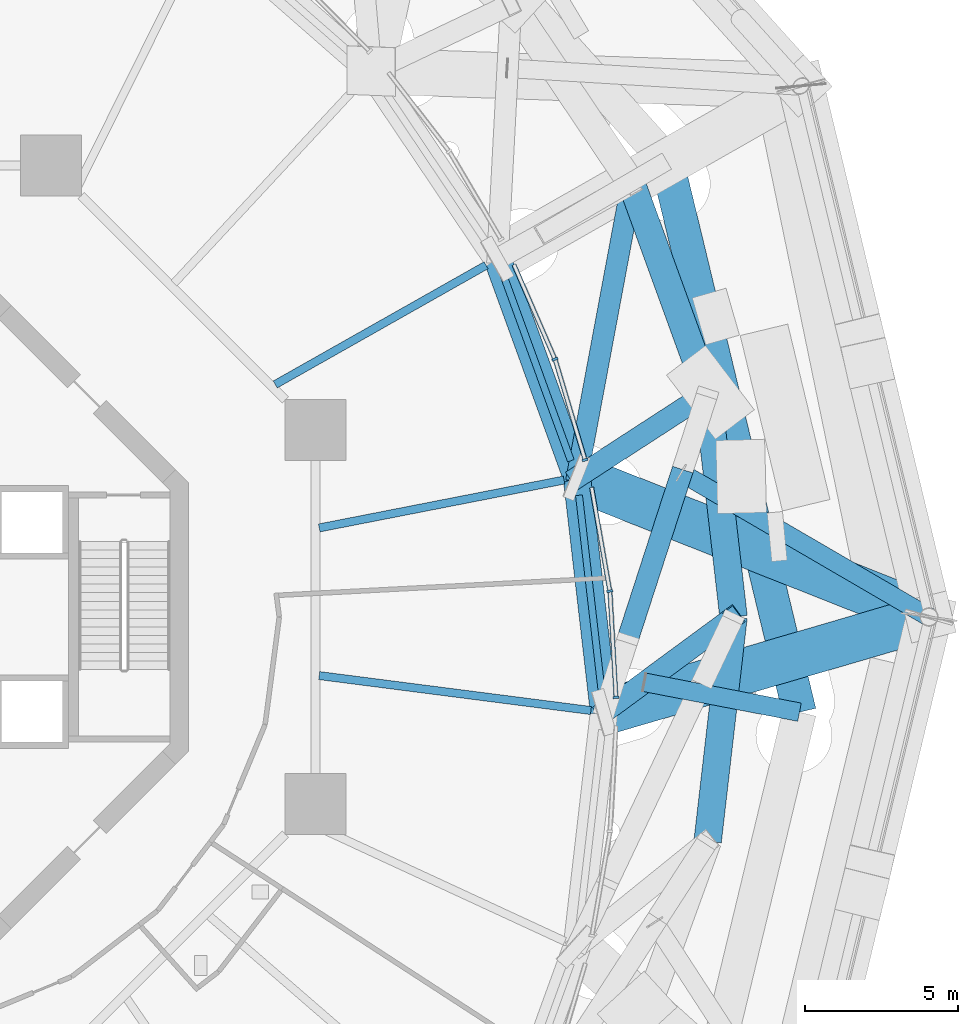
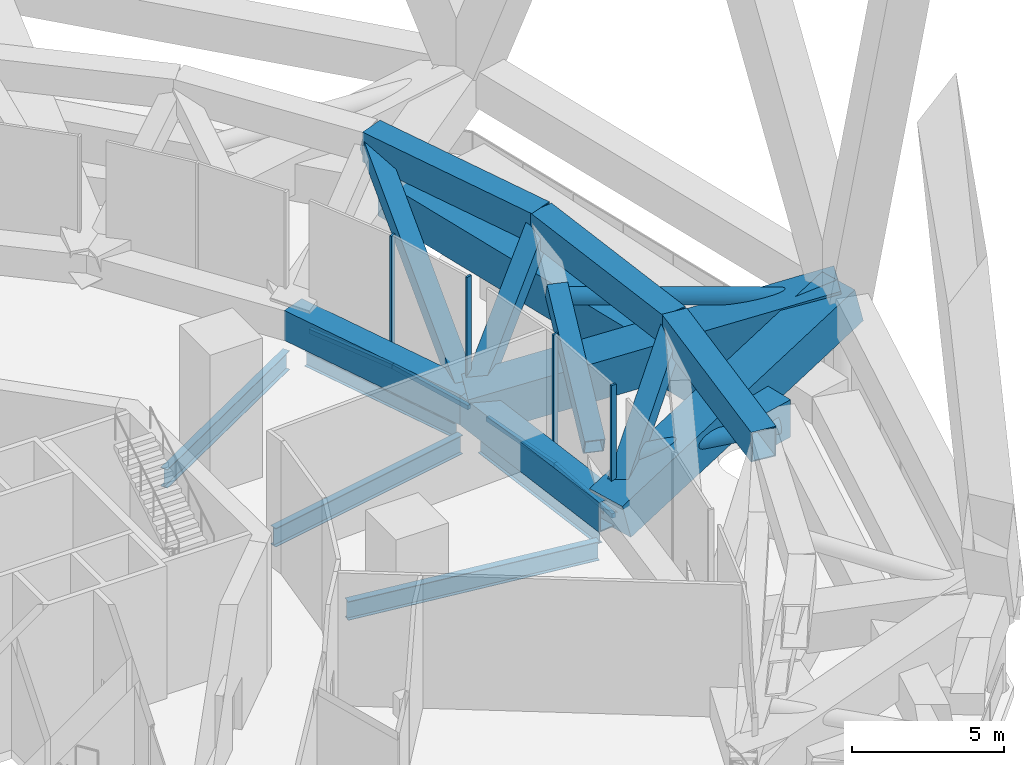
# One storey, part 32 of 49: 14 beams, 13 members, 4 elements without a shape of their own.
"""IFC4 building model written with IfcOpenShell, lengths in metres."""

from ifc_helpers import new_model, si_unit, direction, frame, origin, origin_2d, place, context, subcontext, project, spatial, rectangle, hollow_rectangle, hollow_circle, i_section, extrude, material, layer, layer_set, material_profile, profile_set, type_object, element, aggregate, save


model = new_model("IFC4")

# Units and contexts
model_context = context("Model", 3, precision=1e-05, world=origin(), true_north=direction((0.0, 1.0)))
body_context = subcontext(model_context, "Body", "Model", "MODEL_VIEW")
ifc_project = project(units=[si_unit("LENGTHUNIT", "METRE"), si_unit("AREAUNIT", "SQUARE_METRE"), si_unit("VOLUMEUNIT", "CUBIC_METRE"), si_unit("PLANEANGLEUNIT", "RADIAN"), si_unit("MASSUNIT", "GRAM", prefix="KILO")], contexts=[model_context])

# Site, building, storey
site_placement = place(None, origin())
site = spatial("IfcSite", under=ifc_project, at=site_placement, CompositionType="ELEMENT")
building_placement = place(site_placement, origin())
building = spatial("IfcBuilding", under=site, at=building_placement, Name="Nagisa Residences", CompositionType="ELEMENT")
storey_placement = place(building_placement, frame((0.0, 0.0, 160.300048828125)))
storey = spatial("IfcBuildingStorey", under=building, at=storey_placement, Name="L40", CompositionType="ELEMENT", Elevation=160.300048828125)

# Beams
ifc_material_1 = material(Name="Steel ASTM A572 Gr 50", Category="steel")
ifc_material_profile_1 = material_profile(ifc_material_1, hollow_rectangle(XDim=0.89990234375, YDim=1.199951171875, WallThickness=0.044921875, at=origin_2d()), Name="BX 900x1200x45")
ifc_profile_set_1 = profile_set([ifc_material_profile_1], Name="Steel ASTM A572 Gr 50")
beam_type_1 = type_object("IfcBeamType", Name="Belt chord 3 BX 900x1200x45", PredefinedType="BEAM", material=ifc_profile_set_1)
beam_1_placement = place(storey_placement, frame((24.235107421875, -3.11767578125, 0.599853515625), z_axis=(-0.114676809707, 0.993402853487, 0.0), x_axis=(-0.993402853487, -0.114676809707, 0.0)))
element("IfcBeam", 1, at=beam_1_placement, inside=storey, type_object=beam_type_1, Name="beam:L40:bt3b01", PredefinedType="BEAM", context=body_context, shape_type="SweptSolid", body=[
    extrude(hollow_rectangle(XDim=0.89990234375, YDim=1.199951171875, WallThickness=0.044921875, at=origin_2d()), origin(), (0.0, 0.0, 1.0), 7.736572265625),
])
beam_2_placement = place(storey_placement, frame((28.47509765625, 0.0, 4.739990234375), z_axis=(-0.114660458772, 0.993404740876, 0.0), x_axis=(-0.993404740876, -0.114660458772, 0.0)))
element("IfcBeam", 2, at=beam_2_placement, inside=storey, type_object=beam_type_1, Name="beam:L40:bt3t01", PredefinedType="BEAM", context=body_context, shape_type="SweptSolid", body=[
    extrude(hollow_rectangle(XDim=0.89990234375, YDim=1.199951171875, WallThickness=0.044921875, at=origin_2d()), origin(), (0.0, 0.0, 1.0), 7.392822265625),
])
beam_3_placement = place(storey_placement, frame((23.347900390625, 4.56787109375, 0.599853515625), z_axis=(-0.341339120312, 0.939940213495, 0.0), x_axis=(-0.939940213495, -0.341339120312, 0.0)))
element("IfcBeam", 3, at=beam_3_placement, inside=storey, type_object=beam_type_1, Name="beam:L40:bt3b02", PredefinedType="BEAM", context=body_context, shape_type="SweptSolid", body=[
    extrude(hollow_rectangle(XDim=0.89990234375, YDim=1.199951171875, WallThickness=0.044921875, at=origin_2d()), origin(), (0.0, 0.0, 1.0), 7.619384765625),
])
beam_4_placement = place(storey_placement, frame((27.62744140625, 7.343994140625, 4.739990234375), z_axis=(-0.341325710829, 0.939945083038, 0.0), x_axis=(-0.939945083038, -0.341325710829, 0.0)))
element("IfcBeam", 4, at=beam_4_placement, inside=storey, type_object=beam_type_1, Name="beam:L40:bt3t02", PredefinedType="BEAM", context=body_context, shape_type="SweptSolid", body=[
    extrude(hollow_rectangle(XDim=0.89990234375, YDim=1.199951171875, WallThickness=0.044921875, at=origin_2d()), origin(), (0.0, 0.0, 1.0), 7.28076171875),
])
beam_5_placement = place(storey_placement, frame((27.62744140625, -7.343994140625, 4.739990234375), z_axis=(0.114660458772, 0.993404740876, 0.0), x_axis=(-0.993404740876, 0.114660458772, 0.0)))
element("IfcBeam", 5, at=beam_5_placement, inside=storey, type_object=beam_type_1, Name="beam:L40:bt3t24", PredefinedType="BEAM", context=body_context, shape_type="SweptSolid", body=[
    extrude(hollow_rectangle(XDim=0.89990234375, YDim=1.199951171875, WallThickness=0.044921875, at=origin_2d()), origin(), (0.0, 0.0, 1.0), 7.392822265625),
])
ifc_material_2 = material(Name="Steel ASTM A572 Gr 50", Category="steel")
ifc_material_profile_2 = material_profile(ifc_material_2, hollow_rectangle(XDim=0.699951171875, YDim=0.699951171875, WallThickness=0.0400390625, at=origin_2d()), Name="BX 700x700x40")
ifc_profile_set_2 = profile_set([ifc_material_profile_2], Name="Steel ASTM A572 Gr 50")
beam_type_2 = type_object("IfcBeamType", Name="Belt diagonal 3 BX 700x700x40", PredefinedType="BEAM", material=ifc_profile_set_2)
beam_6_placement = place(storey_placement, frame((24.235107421875, -3.11767578125, 0.599853515625), z_axis=(0.633200145852, 0.465593704297, 0.618288021728), x_axis=(-0.592394878446, 0.805647756771, 0.0)))
element("IfcBeam", 6, at=beam_6_placement, inside=storey, type_object=beam_type_2, Name="beam:L40:bt3da01", PredefinedType="BEAM", context=body_context, shape_type="SweptSolid", body=[
    extrude(hollow_rectangle(XDim=0.699951171875, YDim=0.699951171875, WallThickness=0.0400390625, at=origin_2d()), origin(), (0.0, 0.0, 1.0), 6.696044921875),
])
beam_7_placement = place(storey_placement, frame((25.013427734375, -0.717041015625, 1.550048828125), z_axis=(0.288674860921, 0.890253611392, 0.352300059716), x_axis=(-0.951240389327, 0.308450517445, 0.0)))
element("IfcBeam", 7, at=beam_7_placement, inside=storey, type_object=beam_type_2, Name="beam:L40:bt3db01", PredefinedType="BEAM", context=body_context, shape_type="SweptSolid", body=[
    extrude(hollow_rectangle(XDim=0.699951171875, YDim=0.699951171875, WallThickness=0.0400390625, at=origin_2d()), origin(), (0.0, 0.0, 1.0), 6.358154296875),
])
beam_8_placement = place(storey_placement, frame((23.347900390625, 4.56787109375, 0.599853515625), z_axis=(0.651397516262, 0.42255925366, 0.630178508801), x_axis=(-0.544219328827, 0.83894297907, 0.0)))
element("IfcBeam", 8, at=beam_8_placement, inside=storey, type_object=beam_type_2, Name="beam:L40:bt3da02", PredefinedType="BEAM", context=body_context, shape_type="SweptSolid", body=[
    extrude(hollow_rectangle(XDim=0.699951171875, YDim=0.699951171875, WallThickness=0.0400390625, at=origin_2d()), origin(), (0.0, 0.0, 1.0), 6.56982421875),
])
beam_9_placement = place(storey_placement, frame((23.347900390625, 4.56787109375, 0.599853515625), z_axis=(0.168882363071, 0.905347329215, 0.389647226253), x_axis=(-0.983042923, 0.183375602356, 0.0)))
element("IfcBeam", 9, at=beam_9_placement, inside=storey, type_object=beam_type_2, Name="beam:L40:bt3db02", PredefinedType="BEAM", context=body_context, shape_type="SweptSolid", body=[
    extrude(hollow_rectangle(XDim=0.699951171875, YDim=0.699951171875, WallThickness=0.0400390625, at=origin_2d()), origin(), (0.0, 0.0, 1.0), 10.625244140625),
])

# Curtain wall, member
ifc_material_3 = material(Name="Aluminium curtain wall system", Category="aluminium")
ifc_layer = layer(ifc_material_3, 0.159912109375)
ifc_layer_set = layer_set([ifc_layer], Name="CW2 CURTAIN WALL")
curtain_wall_type = type_object("IfcCurtainWallType", Name="CW2 CURTAIN WALL", PredefinedType="NOTDEFINED", material=ifc_layer_set)
curtain_wall_1_placement = place(storey_placement, origin())
curtain_wall_1 = element("IfcCurtainWall", 10, at=curtain_wall_1_placement, inside=storey, type_object=curtain_wall_type, Name="cw:CW2:L40:00", PredefinedType="NOTDEFINED")
ifc_material_4 = material(Name="Aluminium", Category="aluminium")
ifc_material_profile_3 = material_profile(ifc_material_4, rectangle(XDim=0.199951171875, YDim=0.080078125, at=origin_2d()), Name="CW2 MULLION 200x80")
ifc_profile_set_3 = profile_set([ifc_material_profile_3], Name="Aluminium")
member_type_1 = type_object("IfcMemberType", Name="CW2 MULLION 200x80", PredefinedType="MULLION", material=ifc_profile_set_3)
member_1_placement = place(storey_placement, frame((24.626953125, -2.633056640625, 0.0), z_axis=(0.0, 0.0, 1.0), x_axis=(-0.998345305184, -0.057503492216, 0.0)))
member_1 = element("IfcMember", 11, at=member_1_placement, type_object=member_type_1, Name="CW2 mullion", PredefinedType="MULLION", context=body_context, shape_type="SweptSolid", body=[
    extrude(rectangle(XDim=0.199951171875, YDim=0.080078125, at=origin_2d()), origin(), (0.0, 0.0, 1.0), 5.33984375),
])

curtain_wall_2_placement = place(storey_placement, origin())
curtain_wall_2 = element("IfcCurtainWall", 12, at=curtain_wall_2_placement, inside=storey, type_object=curtain_wall_type, Name="cw:CW2:L40:01", PredefinedType="NOTDEFINED")
member_2_placement = place(storey_placement, frame((24.42236328125, 0.84912109375, 0.0), z_axis=(0.0, 0.0, 1.0), x_axis=(-0.985063604377, -0.172190868898, 0.0)))
member_2 = element("IfcMember", 13, at=member_2_placement, type_object=member_type_1, Name="CW2 mullion", PredefinedType="MULLION", context=body_context, shape_type="SweptSolid", body=[
    extrude(rectangle(XDim=0.199951171875, YDim=0.080078125, at=origin_2d()), origin(), (0.0, 0.0, 1.0), 5.33984375),
])

curtain_wall_3_placement = place(storey_placement, origin())
curtain_wall_3 = element("IfcCurtainWall", 14, at=curtain_wall_3_placement, inside=storey, type_object=curtain_wall_type, Name="cw:CW2:L40:02", PredefinedType="NOTDEFINED")
member_3_placement = place(storey_placement, frame((23.614013671875, 5.14404296875, 0.0), z_axis=(0.0, 0.0, 1.0), x_axis=(-0.958271310082, -0.285860274038, 0.0)))
member_3 = element("IfcMember", 15, at=member_3_placement, type_object=member_type_1, Name="CW2 mullion", PredefinedType="MULLION", context=body_context, shape_type="SweptSolid", body=[
    extrude(rectangle(XDim=0.199951171875, YDim=0.080078125, at=origin_2d()), origin(), (0.0, 0.0, 1.0), 5.33984375),
])

curtain_wall_4_placement = place(storey_placement, origin())
curtain_wall_4 = element("IfcCurtainWall", 16, at=curtain_wall_4_placement, inside=storey, type_object=curtain_wall_type, Name="cw:CW2:L40:03", PredefinedType="NOTDEFINED")
member_4_placement = place(storey_placement, frame((22.625732421875, 8.4423828125, 0.0), z_axis=(0.0, 0.0, 1.0), x_axis=(-0.917543276295, -0.397635934147, 0.0)))
member_4 = element("IfcMember", 17, at=member_4_placement, type_object=member_type_1, Name="CW2 mullion", PredefinedType="MULLION", context=body_context, shape_type="SweptSolid", body=[
    extrude(rectangle(XDim=0.199951171875, YDim=0.080078125, at=origin_2d()), origin(), (0.0, 0.0, 1.0), 5.33984375),
])

# Member
ifc_material_5 = material(Name="Aluminium", Category="aluminium")
ifc_material_profile_4 = material_profile(ifc_material_5, rectangle(XDim=0.139892578125, YDim=0.179931640625, at=origin_2d()), Name="CW2 TRANSOM 140x180")
ifc_profile_set_4 = profile_set([ifc_material_profile_4], Name="Aluminium")
member_type_2 = type_object("IfcMemberType", Name="CW2 TRANSOM 140x180", PredefinedType="USERDEFINED", material=ifc_profile_set_4)
member_5_placement = place(storey_placement, frame((24.629150390625, -2.673095703125, 0.08984375), z_axis=(-0.05744535696, 0.998348652007, 0.0), x_axis=(-0.998348652007, -0.05744535696, 0.0)))
member_5 = element("IfcMember", 18, at=member_5_placement, type_object=member_type_2, Name="CW2 transom", ObjectType="TRANSOM", PredefinedType="USERDEFINED", context=body_context, shape_type="SweptSolid", body=[
    extrude(rectangle(XDim=0.139892578125, YDim=0.179931640625, at=origin_2d()), origin(), (0.0, 0.0, 1.0), 3.497802734375),
])

aggregate(curtain_wall_1, [member_1, member_5])

member_6_placement = place(storey_placement, frame((24.42919921875, 0.809814453125, 0.08984375), z_axis=(-0.172181360357, 0.98506526644, 0.0), x_axis=(-0.98506526644, -0.172181360357, 0.0)))
member_6 = element("IfcMember", 19, at=member_6_placement, type_object=member_type_2, Name="CW2 transom", ObjectType="TRANSOM", PredefinedType="USERDEFINED", context=body_context, shape_type="SweptSolid", body=[
    extrude(rectangle(XDim=0.139892578125, YDim=0.179931640625, at=origin_2d()), origin(), (0.0, 0.0, 1.0), 3.482421875),
])

aggregate(curtain_wall_2, [member_2, member_6])

member_7_placement = place(storey_placement, frame((23.62548828125, 5.105712890625, 0.08984375), z_axis=(-0.285862077176, 0.95827077219, 0.0), x_axis=(-0.95827077219, -0.285862077176, 0.0)))
member_7 = element("IfcMember", 20, at=member_7_placement, type_object=member_type_2, Name="CW2 transom", ObjectType="TRANSOM", PredefinedType="USERDEFINED", context=body_context, shape_type="SweptSolid", body=[
    extrude(rectangle(XDim=0.139892578125, YDim=0.179931640625, at=origin_2d()), origin(), (0.0, 0.0, 1.0), 3.452880859375),
])

aggregate(curtain_wall_3, [member_3, member_7])

member_8_placement = place(storey_placement, frame((22.641845703125, 8.405517578125, 0.08984375), z_axis=(-0.397673722648, 0.91752689896, 0.0), x_axis=(-0.91752689896, -0.397673722648, 0.0)))
member_8 = element("IfcMember", 21, at=member_8_placement, type_object=member_type_2, Name="CW2 transom", ObjectType="TRANSOM", PredefinedType="USERDEFINED", context=body_context, shape_type="SweptSolid", body=[
    extrude(rectangle(XDim=0.139892578125, YDim=0.179931640625, at=origin_2d()), origin(), (0.0, 0.0, 1.0), 3.410888671875),
])

aggregate(curtain_wall_4, [member_4, member_8])

# Members
ifc_material_6 = material(Name="Concrete C80", Category="concrete")
ifc_material_profile_5 = material_profile(ifc_material_6, rectangle(XDim=1.5, YDim=1.5, at=origin_2d()), Name="C80 1500x1500")
ifc_profile_set_5 = profile_set([ifc_material_profile_5], Name="Concrete C80")
member_type_3 = type_object("IfcMemberType", Name="Cage bracket 4 C80 1500x1500", PredefinedType="BRACE", material=ifc_profile_set_5)
member_9_placement = place(storey_placement, frame((34.875, 0.0, 3.699951171875), z_axis=(-0.924202903967, -0.270807716291, -0.26928084428), x_axis=(0.281194567193, -0.959650777826, 0.0)))
element("IfcMember", 22, at=member_9_placement, inside=storey, type_object=member_type_3, Name="mem:L40:cg3ob01", PredefinedType="BRACE", context=body_context, shape_type="SweptSolid", body=[
    extrude(rectangle(XDim=1.5, YDim=1.5, at=origin_2d()), origin(), (0.0, 0.0, 1.0), 11.512451171875),
])
member_10_placement = place(storey_placement, frame((34.875, 0.0, 3.699951171875), z_axis=(-0.901904126586, 0.357399686719, -0.24255805569), x_axis=(-0.368401294281, -0.929666868492, 0.0)))
element("IfcMember", 23, at=member_10_placement, inside=storey, type_object=member_type_3, Name="mem:L40:cg3ob02", PredefinedType="BRACE", context=body_context, shape_type="SweptSolid", body=[
    extrude(rectangle(XDim=1.5, YDim=1.5, at=origin_2d()), origin(), (0.0, 0.0, 1.0), 12.78076171875),
])
ifc_material_7 = material(Name="Concrete C80", Category="concrete")
ifc_material_profile_6 = material_profile(ifc_material_7, rectangle(XDim=1.10009765625, YDim=1.5, at=origin_2d()), Name="C80 1100x1500")
ifc_profile_set_6 = profile_set([ifc_material_profile_6], Name="Concrete C80")
member_type_4 = type_object("IfcMemberType", Name="Cage ring 3 C80 1100x1500", PredefinedType="CHORD", material=ifc_profile_set_6)
member_11_placement = place(storey_placement, frame((30.635009765625, -3.11767578125, 1.89990234375), z_axis=(-0.234090672254, 0.972214769052, 0.0), x_axis=(-0.972214769052, -0.234090672254, 0.0)))
element("IfcMember", 24, at=member_11_placement, inside=storey, type_object=member_type_4, Name="beam:L40:cg3r101", PredefinedType="CHORD", context=body_context, shape_type="SweptSolid", body=[
    extrude(rectangle(XDim=1.10009765625, YDim=1.5, at=origin_2d()), origin(), (0.0, 0.0, 1.0), 18.563232421875),
])
ifc_material_8 = material(Name="Steel ASTM A572 Gr 65", Category="steel")
ifc_material_profile_7 = material_profile(ifc_material_8, hollow_circle(Radius=0.304931640625, WallThickness=0.02490234375, at=origin_2d()), Name="CHS 610x25")
ifc_profile_set_7 = profile_set([ifc_material_profile_7], Name="Steel ASTM A572 Gr 65")
member_type_5 = type_object("IfcMemberType", Name="Cage strut CHS 610x25", PredefinedType="STRUT", material=ifc_profile_set_7)
member_12_placement = place(storey_placement, frame((30.635009765625, -3.11767578125, 1.89990234375), z_axis=(-0.981852639247, 0.189645444987, 0.0), x_axis=(-0.189645444987, -0.981852639247, 0.0)))
element("IfcMember", 25, at=member_12_placement, inside=storey, type_object=member_type_5, Name="mem:L40:bt3st3a01", PredefinedType="STRUT", context=body_context, shape_type="SweptSolid", body=[
    extrude(hollow_circle(Radius=0.304931640625, WallThickness=0.02490234375, at=origin_2d()), origin(), (0.0, 0.0, 1.0), 5.162353515625),
])
member_13_placement = place(storey_placement, frame((34.875, 0.0, 3.699951171875), z_axis=(-0.864200902163, 0.503146897736, 0.0), x_axis=(-0.503146897736, -0.864200902163, 0.0)))
element("IfcMember", 26, at=member_13_placement, inside=storey, type_object=member_type_5, Name="mem:L40:bt3st4b01", PredefinedType="STRUT", context=body_context, shape_type="SweptSolid", body=[
    extrude(hollow_circle(Radius=0.304931640625, WallThickness=0.02490234375, at=origin_2d()), origin(), (0.0, 0.0, 1.0), 9.37255859375),
])

# Beams
ifc_material_9 = material(Name="Steel ASTM A572 Gr 50", Category="steel")
ifc_material_profile_8 = material_profile(ifc_material_9, i_section(OverallWidth=0.22802734375, OverallDepth=0.60302734375, WebThickness=0.010498046875, FlangeThickness=0.014892578125, at=origin_2d()), Name="W610x101")
ifc_profile_set_8 = profile_set([ifc_material_profile_8], Name="Steel ASTM A572 Gr 50")
beam_type_3 = type_object("IfcBeamType", Name="Perimeter ring beam W610x101", PredefinedType="BEAM", material=ifc_profile_set_8)
beam_10_placement = place(storey_placement, frame((24.16796875, -2.53759765625, -0.651611328125), z_axis=(-0.114660786771, 0.993404703017, 0.0), x_axis=(-0.993404703017, -0.114660786771, 0.0)))
element("IfcBeam", 27, at=beam_10_placement, inside=storey, type_object=beam_type_3, Name="beam:L40:pb01", PredefinedType="BEAM", context=body_context, shape_type="SweptSolid", body=[
    extrude(i_section(OverallWidth=0.22802734375, OverallDepth=0.60302734375, WebThickness=0.010498046875, FlangeThickness=0.014892578125, at=origin_2d()), origin(), (0.0, 0.0, 1.0), 6.568603515625),
])
beam_11_placement = place(storey_placement, frame((23.1484375, 5.116943359375, -0.651611328125), z_axis=(-0.341332802315, 0.93994250785, 0.0), x_axis=(-0.93994250785, -0.341332802315, 0.0)))
element("IfcBeam", 28, at=beam_11_placement, inside=storey, type_object=beam_type_3, Name="beam:L40:pb02", PredefinedType="BEAM", context=body_context, shape_type="SweptSolid", body=[
    extrude(i_section(OverallWidth=0.22802734375, OverallDepth=0.60302734375, WebThickness=0.010498046875, FlangeThickness=0.014892578125, at=origin_2d()), origin(), (0.0, 0.0, 1.0), 6.450927734375),
])
ifc_material_10 = material(Name="Steel ASTM A572 Gr 50", Category="steel")
ifc_material_profile_9 = material_profile(ifc_material_10, i_section(OverallWidth=0.264892578125, OverallDepth=0.7529296875, WebThickness=0.01318359375, FlangeThickness=0.01708984375, at=origin_2d()), Name="W760x147")
ifc_profile_set_9 = profile_set([ifc_material_profile_9], Name="Steel ASTM A572 Gr 50")
beam_type_4 = type_object("IfcBeamType", Name="Radial beam W760x147", PredefinedType="BEAM", material=ifc_profile_set_9)
beam_12_placement = place(storey_placement, frame((23.804931640625, -3.062255859375, -0.7265625), z_axis=(-0.991829823662, 0.127568024574, 0.0), x_axis=(-0.127568024574, -0.991829823662, 0.0)))
element("IfcBeam", 29, at=beam_12_placement, inside=storey, type_object=beam_type_4, Name="beam:L40:rb01", PredefinedType="BEAM", context=body_context, shape_type="SweptSolid", body=[
    extrude(i_section(OverallWidth=0.264892578125, OverallDepth=0.7529296875, WebThickness=0.01318359375, FlangeThickness=0.01708984375, at=origin_2d()), origin(), (0.0, 0.0, 1.0), 8.969970703125),
])
beam_13_placement = place(storey_placement, frame((22.925537109375, 4.4853515625, -0.7265625), z_axis=(-0.981391675429, -0.192016612298, 0.0), x_axis=(0.192016612298, -0.981391675429, 0.0)))
element("IfcBeam", 30, at=beam_13_placement, inside=storey, type_object=beam_type_4, Name="beam:L40:rb02", PredefinedType="BEAM", context=body_context, shape_type="SweptSolid", body=[
    extrude(i_section(OverallWidth=0.264892578125, OverallDepth=0.7529296875, WebThickness=0.01318359375, FlangeThickness=0.01708984375, at=origin_2d()), origin(), (0.0, 0.0, 1.0), 8.169189453125),
])
beam_14_placement = place(storey_placement, frame((20.372314453125, 11.51806640625, -0.7265625), z_axis=(-0.870490582316, -0.492185073015, 0.0), x_axis=(0.492185073015, -0.870490582316, 0.0)))
element("IfcBeam", 31, at=beam_14_placement, inside=storey, type_object=beam_type_4, Name="beam:L40:rb03", PredefinedType="BEAM", context=body_context, shape_type="SweptSolid", body=[
    extrude(i_section(OverallWidth=0.264892578125, OverallDepth=0.7529296875, WebThickness=0.01318359375, FlangeThickness=0.01708984375, at=origin_2d()), origin(), (0.0, 0.0, 1.0), 7.93017578125),
])

save(model, "model.ifc")
